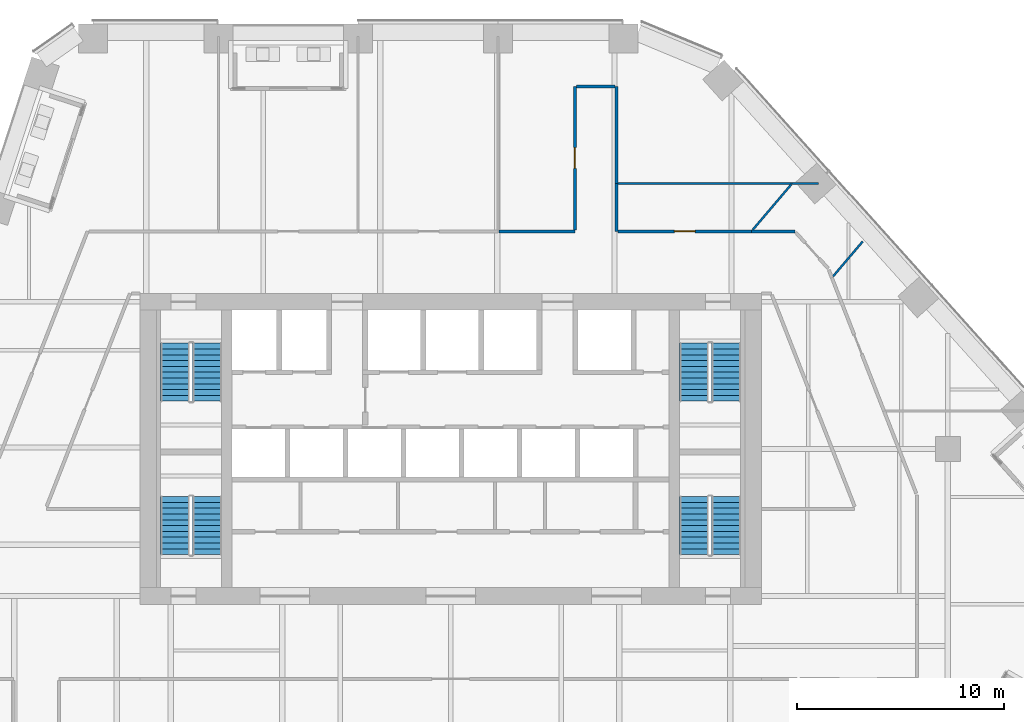
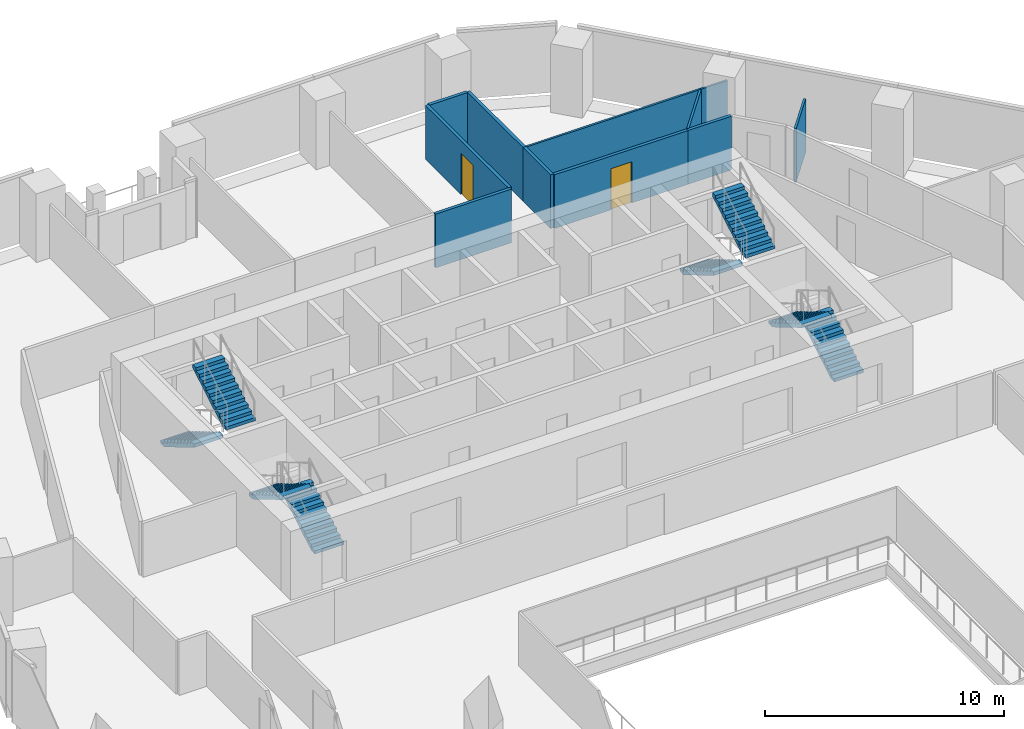
# One storey, part 22 of 26: 11 walls, 8 stair flights, 2 doors, 2 openings, 4 elements without a shape of their own.
"""IFC4 building model written with IfcOpenShell, lengths in metres."""

from ifc_helpers import new_model, si_unit, direction, frame, frame_2d, origin, place, context, subcontext, project, spatial, polyline, rectangle, outline, extrude, material, layer, layer_set, type_object, element, fill, aggregate, save


model = new_model("IFC4")

# Units and contexts
model_context = context("Model", 3, precision=1e-05, world=origin(), true_north=direction((0.0, 1.0)))
body_context = subcontext(model_context, "Body", "Model", "MODEL_VIEW")
ifc_project = project(units=[si_unit("LENGTHUNIT", "METRE"), si_unit("AREAUNIT", "SQUARE_METRE"), si_unit("VOLUMEUNIT", "CUBIC_METRE"), si_unit("PLANEANGLEUNIT", "RADIAN"), si_unit("MASSUNIT", "GRAM", prefix="KILO")], contexts=[model_context])

# Site, building, storey
site_placement = place(None, origin())
site = spatial("IfcSite", under=ifc_project, at=site_placement, CompositionType="ELEMENT")
building_placement = place(site_placement, origin())
building = spatial("IfcBuilding", under=site, at=building_placement, Name="Isthmus Gate Tower", CompositionType="ELEMENT")
storey_placement = place(building_placement, frame((0.0, 0.0, 129.800048828125)))
storey = spatial("IfcBuildingStorey", under=building, at=storey_placement, Name="L31", CompositionType="ELEMENT", Elevation=129.800048828125)

# Walls
ifc_material_1 = material(Name="Gypsum board on steel studs, fire-rated", Category="steel")
ifc_layer_1 = layer(ifc_material_1, 0.14990234375)
ifc_layer_set_1 = layer_set([ifc_layer_1], Name="CORRIDOR WALL 150 60 MIN")
wall_type_1 = type_object("IfcWallType", Name="CORRIDOR WALL 150 60 MIN", PredefinedType="PARTITIONING", material=ifc_layer_set_1)
wall_1_placement = place(storey_placement, frame((8.0, 25.0, 0.0), z_axis=(0.0, 0.0, 1.0), x_axis=(0.0, -1.0, 0.0)))
element("IfcWall", 1, at=wall_1_placement, inside=storey, type_object=wall_type_1, Name="L31 Corridor Wall 150 60 Min", PredefinedType="PARTITIONING", context=body_context, shape_type="SweptSolid", body=[
    extrude(rectangle(XDim=4.69189453125, YDim=0.14990234375, at=frame_2d((2.345947265625, 0.0))), origin(), (0.0, 0.0, 1.0), 2.7412109375),
])
wall_2_placement = place(storey_placement, frame((8.0, 20.30810546875, 0.0), z_axis=(0.0, 0.0, 1.0), x_axis=(0.0, -1.0, 0.0)))
element("IfcWall", 2, at=wall_2_placement, inside=storey, type_object=wall_type_1, Name="L31 Corridor Wall 150 60 Min", PredefinedType="PARTITIONING", context=body_context, shape_type="SweptSolid", body=[
    extrude(rectangle(XDim=2.30810546875, YDim=0.14990234375, at=frame_2d((1.154052734375, 0.0))), origin(), (0.0, 0.0, 1.0), 2.7412109375),
])
wall_3_placement = place(storey_placement, frame((2.337890625, 18.0, 0.0), z_axis=(0.0, 0.0, 1.0), x_axis=(1.0, 0.0, 0.0)))
element("IfcWall", 3, at=wall_3_placement, inside=storey, type_object=wall_type_1, Name="L31 Corridor Wall 150 60 Min", PredefinedType="PARTITIONING", context=body_context, shape_type="SweptSolid", body=[
    extrude(rectangle(XDim=3.662109375, YDim=0.14990234375, at=frame_2d((1.8310546875, 0.0))), origin(), (0.0, 0.0, 1.0), 2.7412109375),
])

# Wall, opening, door
wall_4_placement = place(storey_placement, frame((6.0, 18.074951171875, 0.0), z_axis=(0.0, 0.0, 1.0), x_axis=(0.0, 1.0, 0.0)))
wall_4 = element("IfcWall", 4, at=wall_4_placement, inside=storey, type_object=wall_type_1, Name="L31 Corridor Wall 150 60 Min", PredefinedType="PARTITIONING", context=body_context, shape_type="SweptSolid", body=[
    extrude(rectangle(XDim=6.925048828125, YDim=0.14990234375, at=frame_2d((3.46240234375, 0.0))), origin(), (0.0, 0.0, 1.0), 2.7412109375),
])
opening_1_placement = place(wall_4_placement, frame((2.96240234375, 0.0, 0.0)))
opening_1 = element("IfcOpeningElement", 5, at=opening_1_placement, cuts=wall_4, Name="Opening DT-T3A-03", PredefinedType="OPENING", context=body_context, shape_type="SweptSolid", body=[
    extrude(rectangle(XDim=1.0, YDim=2.10009765625, at=frame_2d((0.5, 1.050048828125))), frame((0.0, 0.0849609375, 0.0), z_axis=(0.0, -1.0, 0.0), x_axis=(1.0, 0.0, 0.0)), (0.0, 0.0, 1.0), 0.169921875),
])
ifc_material_2 = material(Name="Solid core timber door leaf, fire-rated", Category="wood")
door_type = type_object("IfcDoorType", Name="FIRE DOOR ROOM 1000 X 2100 60 MIN", OperationType="SINGLE_SWING_LEFT", PredefinedType="DOOR", material=ifc_material_2)
door_1_placement = place(opening_1_placement, origin())
door_1 = element("IfcDoor", 6, at=door_1_placement, inside=storey, type_object=door_type, Name="L31 room door", OperationType="SINGLE_SWING_RIGHT", OverallHeight=2.10009765625, OverallWidth=1.0, PredefinedType="DOOR", context=body_context, shape_type="SweptSolid", body=[
    extrude(rectangle(XDim=1.0, YDim=2.10009765625, at=frame_2d((0.5, 1.050048828125))), frame((0.0, 0.02490234375, 0.0), z_axis=(0.0, -1.0, 0.0), x_axis=(1.0, 0.0, 0.0)), (0.0, 0.0, 1.0), 0.050048828125),
])
fill(opening_1, door_1)

# Walls
wall_5_placement = place(storey_placement, frame((6.074951171875, 25.0, 0.0), z_axis=(0.0, 0.0, 1.0), x_axis=(1.0, 0.0, 0.0)))
element("IfcWall", 7, at=wall_5_placement, inside=storey, type_object=wall_type_1, Name="L31 Corridor Wall 150 60 Min", PredefinedType="PARTITIONING", context=body_context, shape_type="SweptSolid", body=[
    extrude(rectangle(XDim=1.85009765625, YDim=0.14990234375, at=frame_2d((0.925048828125, 0.0))), origin(), (0.0, 0.0, 1.0), 2.7412109375),
])
wall_6_placement = place(storey_placement, frame((14.51708984375, 18.0, 0.0), z_axis=(0.0, 0.0, 1.0), x_axis=(1.0, 0.0, 0.0)))
element("IfcWall", 8, at=wall_6_placement, inside=storey, type_object=wall_type_1, Name="L31 Corridor Wall 150 60 Min", PredefinedType="PARTITIONING", context=body_context, shape_type="SweptSolid", body=[
    extrude(rectangle(XDim=2.093017578125, YDim=0.14990234375, at=frame_2d((1.04638671875, 0.0))), origin(), (0.0, 0.0, 1.0), 2.7412109375),
])

# Wall, opening, door
wall_7_placement = place(storey_placement, frame((8.074951171875, 18.0, 0.0), z_axis=(0.0, 0.0, 1.0), x_axis=(1.0, 0.0, 0.0)))
wall_7 = element("IfcWall", 9, at=wall_7_placement, inside=storey, type_object=wall_type_1, Name="L31 Corridor Wall 150 60 Min", PredefinedType="PARTITIONING", context=body_context, shape_type="SweptSolid", body=[
    extrude(rectangle(XDim=6.442138671875, YDim=0.14990234375, at=frame_2d((3.22119140625, 0.0))), origin(), (0.0, 0.0, 1.0), 2.7412109375),
])
opening_2_placement = place(wall_7_placement, frame((2.720947265625, 0.0, 0.0)))
opening_2 = element("IfcOpeningElement", 10, at=opening_2_placement, cuts=wall_7, Name="Opening DT-T3A-13", PredefinedType="OPENING", context=body_context, shape_type="SweptSolid", body=[
    extrude(rectangle(XDim=1.0, YDim=2.10009765625, at=frame_2d((0.5, 1.050048828125))), frame((0.0, 0.0849609375, 0.0), z_axis=(0.0, -1.0, 0.0), x_axis=(1.0, 0.0, 0.0)), (0.0, 0.0, 1.0), 0.169921875),
])
door_2_placement = place(opening_2_placement, origin())
door_2 = element("IfcDoor", 11, at=door_2_placement, inside=storey, type_object=door_type, Name="L31 room door", OperationType="SINGLE_SWING_RIGHT", OverallHeight=2.10009765625, OverallWidth=1.0, PredefinedType="DOOR", context=body_context, shape_type="SweptSolid", body=[
    extrude(rectangle(XDim=1.0, YDim=2.10009765625, at=frame_2d((0.5, 1.050048828125))), frame((0.0, 0.02490234375, 0.0), z_axis=(0.0, -1.0, 0.0), x_axis=(1.0, 0.0, 0.0)), (0.0, 0.0, 1.0), 0.050048828125),
])
fill(opening_2, door_2)

# Walls
ifc_material_3 = material(Name="Gypsum board on steel studs, fire-rated", Category="steel")
ifc_layer_2 = layer(ifc_material_3, 0.10009765625)
ifc_layer_set_2 = layer_set([ifc_layer_2], Name="ROOM PARTITION 100 30 MIN")
wall_type_2 = type_object("IfcWallType", Name="ROOM PARTITION 100 30 MIN", PredefinedType="PARTITIONING", material=ifc_layer_set_2)
wall_8_placement = place(storey_placement, frame((16.47900390625, 20.30810546875, 0.0), z_axis=(0.0, 0.0, 1.0), x_axis=(1.0, 0.0, 0.0)))
element("IfcWall", 12, at=wall_8_placement, inside=storey, type_object=wall_type_2, Name="L31 Room Partition 100 30 Min", PredefinedType="PARTITIONING", context=body_context, shape_type="SweptSolid", body=[
    extrude(rectangle(XDim=1.282958984375, YDim=0.10009765625, at=frame_2d((0.6416015625, 0.0))), origin(), (0.0, 0.0, 1.0), 2.7412109375),
])
wall_9_placement = place(storey_placement, frame((8.074951171875, 20.30810546875, 0.0), z_axis=(0.0, 0.0, 1.0), x_axis=(1.0, 0.0, 0.0)))
element("IfcWall", 13, at=wall_9_placement, inside=storey, type_object=wall_type_2, Name="L31 Room Partition 100 30 Min", PredefinedType="PARTITIONING", context=body_context, shape_type="SweptSolid", body=[
    extrude(rectangle(XDim=8.404052734375, YDim=0.10009765625, at=frame_2d((4.2021484375, 0.0))), origin(), (0.0, 0.0, 1.0), 2.7412109375),
])
wall_10_placement = place(storey_placement, frame((18.455078125, 15.824951171875, 0.0), z_axis=(0.0, 0.0, 1.0), x_axis=(0.647780060511, 0.761827403815, 0.0)))
element("IfcWall", 14, at=wall_10_placement, inside=storey, type_object=wall_type_2, Name="L31 Room Partition 100 30 Min", PredefinedType="PARTITIONING", context=body_context, shape_type="SweptSolid", body=[
    extrude(rectangle(XDim=2.20703125, YDim=0.10009765625, at=frame_2d((1.103515625, 0.0))), origin(), (0.0, 0.0, 1.0), 2.7412109375),
])
wall_11_placement = place(storey_placement, frame((14.580810546875, 18.074951171875, 0.0), z_axis=(0.0, 0.0, 1.0), x_axis=(0.6476632602, 0.761926703422, 0.0)))
element("IfcWall", 15, at=wall_11_placement, inside=storey, type_object=wall_type_2, Name="L31 Room Partition 100 30 Min", PredefinedType="PARTITIONING", context=body_context, shape_type="SweptSolid", body=[
    extrude(rectangle(XDim=2.865234375, YDim=0.10009765625, at=frame_2d((1.4326171875, 0.0))), origin(), (0.0, 0.0, 1.0), 2.7412109375),
])

# Stair, stair flights
ifc_material_4 = material(Name="Concrete f'c 40 MPa", Category="concrete")
stair_type = type_object("IfcStairType", Name="CORE STAIR 22 RISERS", PredefinedType="HALF_TURN_STAIR", material=ifc_material_4)
stair_1_placement = place(storey_placement, origin())
stair_1 = element("IfcStair", 16, at=stair_1_placement, inside=storey, type_object=stair_type, Name="L31 Exit Stair 1", PredefinedType="HALF_TURN_STAIR")
ifc_material_5 = material(Name="Concrete f'c 40 MPa", Category="concrete")
stair_flight_type = type_object("IfcStairFlightType", Name="STAIR FLIGHT RC 1400", PredefinedType="STRAIGHT", material=ifc_material_5)
stair_flight_1_placement = place(storey_placement, frame((-13.300048828125, 12.60009765625, 0.0), z_axis=(0.0, 0.0, 1.0), x_axis=(0.0, -1.0, 0.0)))
stair_flight_1 = element("IfcStairFlight", 17, at=stair_flight_1_placement, type_object=stair_flight_type, Name="ST1 flight 1", NumberOfRisers=11, NumberOfTreads=10, PredefinedType="STRAIGHT", RiserHeight=0.165909091, TreadLength=0.28, context=body_context, shape_type="SweptSolid", body=[
    extrude(outline(polyline([(0.0, 0.0), (0.0, 0.166015625), (0.280029296875, 0.166015625), (0.280029296875, 0.331787109375), (0.56005859375, 0.331787109375), (0.56005859375, 0.497802734375), (0.840087890625, 0.497802734375), (0.840087890625, 0.66357421875), (1.1201171875, 0.66357421875), (1.1201171875, 0.82958984375), (1.39990234375, 0.82958984375), (1.39990234375, 0.995361328125), (1.679931640625, 0.995361328125), (1.679931640625, 1.161376953125), (1.9599609375, 1.161376953125), (1.9599609375, 1.327392578125), (2.239990234375, 1.327392578125), (2.239990234375, 1.4931640625), (2.52001953125, 1.4931640625), (2.52001953125, 1.6591796875), (2.800048828125, 1.6591796875), (2.800048828125, 1.824951171875), (2.800048828125, 1.48486328125), (0.2939453125, 0.0), (0.0, 0.0)])), frame((0.0, 0.699951171875, 0.0), z_axis=(0.0, -1.0, 0.0), x_axis=(1.0, 0.0, 0.0)), (0.0, 0.0, 1.0), 1.39990234375),
])
stair_flight_2_placement = place(storey_placement, frame((-11.75, 9.800048828125, 1.824951171875), z_axis=(0.0, 0.0, 1.0), x_axis=(0.0, 1.0, 0.0)))
stair_flight_2 = element("IfcStairFlight", 18, at=stair_flight_2_placement, type_object=stair_flight_type, Name="ST1 flight 2", NumberOfRisers=11, NumberOfTreads=10, PredefinedType="STRAIGHT", RiserHeight=0.165909091, TreadLength=0.28, context=body_context, shape_type="SweptSolid", body=[
    extrude(outline(polyline([(0.0, 0.0), (0.0, 0.166015625), (0.280029296875, 0.166015625), (0.280029296875, 0.331787109375), (0.56005859375, 0.331787109375), (0.56005859375, 0.497802734375), (0.840087890625, 0.497802734375), (0.840087890625, 0.66357421875), (1.1201171875, 0.66357421875), (1.1201171875, 0.82958984375), (1.39990234375, 0.82958984375), (1.39990234375, 0.995361328125), (1.679931640625, 0.995361328125), (1.679931640625, 1.161376953125), (1.9599609375, 1.161376953125), (1.9599609375, 1.327392578125), (2.239990234375, 1.327392578125), (2.239990234375, 1.4931640625), (2.52001953125, 1.4931640625), (2.52001953125, 1.6591796875), (2.800048828125, 1.6591796875), (2.800048828125, 1.824951171875), (2.800048828125, 1.48486328125), (0.2939453125, 0.0), (0.0, 0.0)])), frame((0.0, 0.699951171875, 0.0), z_axis=(0.0, -1.0, 0.0), x_axis=(1.0, 0.0, 0.0)), (0.0, 0.0, 1.0), 1.39990234375),
])
aggregate(stair_1, [stair_flight_1, stair_flight_2])

stair_2_placement = place(storey_placement, origin())
stair_2 = element("IfcStair", 19, at=stair_2_placement, inside=storey, type_object=stair_type, Name="L31 Exit Stair 2", PredefinedType="HALF_TURN_STAIR")
stair_flight_3_placement = place(storey_placement, frame((11.75, 12.60009765625, 0.0), z_axis=(0.0, 0.0, 1.0), x_axis=(0.0, -1.0, 0.0)))
stair_flight_3 = element("IfcStairFlight", 20, at=stair_flight_3_placement, type_object=stair_flight_type, Name="ST2 flight 1", NumberOfRisers=11, NumberOfTreads=10, PredefinedType="STRAIGHT", RiserHeight=0.165909091, TreadLength=0.28, context=body_context, shape_type="SweptSolid", body=[
    extrude(outline(polyline([(0.0, 0.0), (0.0, 0.166015625), (0.280029296875, 0.166015625), (0.280029296875, 0.331787109375), (0.56005859375, 0.331787109375), (0.56005859375, 0.497802734375), (0.840087890625, 0.497802734375), (0.840087890625, 0.66357421875), (1.1201171875, 0.66357421875), (1.1201171875, 0.82958984375), (1.39990234375, 0.82958984375), (1.39990234375, 0.995361328125), (1.679931640625, 0.995361328125), (1.679931640625, 1.161376953125), (1.9599609375, 1.161376953125), (1.9599609375, 1.327392578125), (2.239990234375, 1.327392578125), (2.239990234375, 1.4931640625), (2.52001953125, 1.4931640625), (2.52001953125, 1.6591796875), (2.800048828125, 1.6591796875), (2.800048828125, 1.824951171875), (2.800048828125, 1.48486328125), (0.2939453125, 0.0), (0.0, 0.0)])), frame((0.0, 0.699951171875, 0.0), z_axis=(0.0, -1.0, 0.0), x_axis=(1.0, 0.0, 0.0)), (0.0, 0.0, 1.0), 1.39990234375),
])
stair_flight_4_placement = place(storey_placement, frame((13.300048828125, 9.800048828125, 1.824951171875), z_axis=(0.0, 0.0, 1.0), x_axis=(0.0, 1.0, 0.0)))
stair_flight_4 = element("IfcStairFlight", 21, at=stair_flight_4_placement, type_object=stair_flight_type, Name="ST2 flight 2", NumberOfRisers=11, NumberOfTreads=10, PredefinedType="STRAIGHT", RiserHeight=0.165909091, TreadLength=0.28, context=body_context, shape_type="SweptSolid", body=[
    extrude(outline(polyline([(0.0, 0.0), (0.0, 0.166015625), (0.280029296875, 0.166015625), (0.280029296875, 0.331787109375), (0.56005859375, 0.331787109375), (0.56005859375, 0.497802734375), (0.840087890625, 0.497802734375), (0.840087890625, 0.66357421875), (1.1201171875, 0.66357421875), (1.1201171875, 0.82958984375), (1.39990234375, 0.82958984375), (1.39990234375, 0.995361328125), (1.679931640625, 0.995361328125), (1.679931640625, 1.161376953125), (1.9599609375, 1.161376953125), (1.9599609375, 1.327392578125), (2.239990234375, 1.327392578125), (2.239990234375, 1.4931640625), (2.52001953125, 1.4931640625), (2.52001953125, 1.6591796875), (2.800048828125, 1.6591796875), (2.800048828125, 1.824951171875), (2.800048828125, 1.48486328125), (0.2939453125, 0.0), (0.0, 0.0)])), frame((0.0, 0.699951171875, 0.0), z_axis=(0.0, -1.0, 0.0), x_axis=(1.0, 0.0, 0.0)), (0.0, 0.0, 1.0), 1.39990234375),
])
aggregate(stair_2, [stair_flight_3, stair_flight_4])

stair_3_placement = place(storey_placement, origin())
stair_3 = element("IfcStair", 22, at=stair_3_placement, inside=storey, type_object=stair_type, Name="L31 Exit Stair 7", PredefinedType="HALF_TURN_STAIR")
stair_flight_5_placement = place(storey_placement, frame((-11.75, 2.39990234375, 0.0), z_axis=(0.0, 0.0, 1.0), x_axis=(0.0, 1.0, 0.0)))
stair_flight_5 = element("IfcStairFlight", 23, at=stair_flight_5_placement, type_object=stair_flight_type, Name="ST7 flight 1", NumberOfRisers=11, NumberOfTreads=10, PredefinedType="STRAIGHT", RiserHeight=0.165909091, TreadLength=0.28, context=body_context, shape_type="SweptSolid", body=[
    extrude(outline(polyline([(0.0, 0.0), (0.0, 0.166015625), (0.280029296875, 0.166015625), (0.280029296875, 0.331787109375), (0.56005859375, 0.331787109375), (0.56005859375, 0.497802734375), (0.840087890625, 0.497802734375), (0.840087890625, 0.66357421875), (1.1201171875, 0.66357421875), (1.1201171875, 0.82958984375), (1.39990234375, 0.82958984375), (1.39990234375, 0.995361328125), (1.679931640625, 0.995361328125), (1.679931640625, 1.161376953125), (1.9599609375, 1.161376953125), (1.9599609375, 1.327392578125), (2.239990234375, 1.327392578125), (2.239990234375, 1.4931640625), (2.52001953125, 1.4931640625), (2.52001953125, 1.6591796875), (2.800048828125, 1.6591796875), (2.800048828125, 1.824951171875), (2.800048828125, 1.48486328125), (0.2939453125, 0.0), (0.0, 0.0)])), frame((0.0, 0.699951171875, 0.0), z_axis=(0.0, -1.0, 0.0), x_axis=(1.0, 0.0, 0.0)), (0.0, 0.0, 1.0), 1.39990234375),
])
stair_flight_6_placement = place(storey_placement, frame((-13.300048828125, 5.199951171875, 1.824951171875), z_axis=(0.0, 0.0, 1.0), x_axis=(0.0, -1.0, 0.0)))
stair_flight_6 = element("IfcStairFlight", 24, at=stair_flight_6_placement, type_object=stair_flight_type, Name="ST7 flight 2", NumberOfRisers=11, NumberOfTreads=10, PredefinedType="STRAIGHT", RiserHeight=0.165909091, TreadLength=0.28, context=body_context, shape_type="SweptSolid", body=[
    extrude(outline(polyline([(0.0, 0.0), (0.0, 0.166015625), (0.280029296875, 0.166015625), (0.280029296875, 0.331787109375), (0.56005859375, 0.331787109375), (0.56005859375, 0.497802734375), (0.840087890625, 0.497802734375), (0.840087890625, 0.66357421875), (1.1201171875, 0.66357421875), (1.1201171875, 0.82958984375), (1.39990234375, 0.82958984375), (1.39990234375, 0.995361328125), (1.679931640625, 0.995361328125), (1.679931640625, 1.161376953125), (1.9599609375, 1.161376953125), (1.9599609375, 1.327392578125), (2.239990234375, 1.327392578125), (2.239990234375, 1.4931640625), (2.52001953125, 1.4931640625), (2.52001953125, 1.6591796875), (2.800048828125, 1.6591796875), (2.800048828125, 1.824951171875), (2.800048828125, 1.48486328125), (0.2939453125, 0.0), (0.0, 0.0)])), frame((0.0, 0.699951171875, 0.0), z_axis=(0.0, -1.0, 0.0), x_axis=(1.0, 0.0, 0.0)), (0.0, 0.0, 1.0), 1.39990234375),
])
aggregate(stair_3, [stair_flight_5, stair_flight_6])

stair_4_placement = place(storey_placement, origin())
stair_4 = element("IfcStair", 25, at=stair_4_placement, inside=storey, type_object=stair_type, Name="L31 Exit Stair 8", PredefinedType="HALF_TURN_STAIR")
stair_flight_7_placement = place(storey_placement, frame((13.300048828125, 2.39990234375, 0.0), z_axis=(0.0, 0.0, 1.0), x_axis=(0.0, 1.0, 0.0)))
stair_flight_7 = element("IfcStairFlight", 26, at=stair_flight_7_placement, type_object=stair_flight_type, Name="ST8 flight 1", NumberOfRisers=11, NumberOfTreads=10, PredefinedType="STRAIGHT", RiserHeight=0.165909091, TreadLength=0.28, context=body_context, shape_type="SweptSolid", body=[
    extrude(outline(polyline([(0.0, 0.0), (0.0, 0.166015625), (0.280029296875, 0.166015625), (0.280029296875, 0.331787109375), (0.56005859375, 0.331787109375), (0.56005859375, 0.497802734375), (0.840087890625, 0.497802734375), (0.840087890625, 0.66357421875), (1.1201171875, 0.66357421875), (1.1201171875, 0.82958984375), (1.39990234375, 0.82958984375), (1.39990234375, 0.995361328125), (1.679931640625, 0.995361328125), (1.679931640625, 1.161376953125), (1.9599609375, 1.161376953125), (1.9599609375, 1.327392578125), (2.239990234375, 1.327392578125), (2.239990234375, 1.4931640625), (2.52001953125, 1.4931640625), (2.52001953125, 1.6591796875), (2.800048828125, 1.6591796875), (2.800048828125, 1.824951171875), (2.800048828125, 1.48486328125), (0.2939453125, 0.0), (0.0, 0.0)])), frame((0.0, 0.699951171875, 0.0), z_axis=(0.0, -1.0, 0.0), x_axis=(1.0, 0.0, 0.0)), (0.0, 0.0, 1.0), 1.39990234375),
])
stair_flight_8_placement = place(storey_placement, frame((11.75, 5.199951171875, 1.824951171875), z_axis=(0.0, 0.0, 1.0), x_axis=(0.0, -1.0, 0.0)))
stair_flight_8 = element("IfcStairFlight", 27, at=stair_flight_8_placement, type_object=stair_flight_type, Name="ST8 flight 2", NumberOfRisers=11, NumberOfTreads=10, PredefinedType="STRAIGHT", RiserHeight=0.165909091, TreadLength=0.28, context=body_context, shape_type="SweptSolid", body=[
    extrude(outline(polyline([(0.0, 0.0), (0.0, 0.166015625), (0.280029296875, 0.166015625), (0.280029296875, 0.331787109375), (0.56005859375, 0.331787109375), (0.56005859375, 0.497802734375), (0.840087890625, 0.497802734375), (0.840087890625, 0.66357421875), (1.1201171875, 0.66357421875), (1.1201171875, 0.82958984375), (1.39990234375, 0.82958984375), (1.39990234375, 0.995361328125), (1.679931640625, 0.995361328125), (1.679931640625, 1.161376953125), (1.9599609375, 1.161376953125), (1.9599609375, 1.327392578125), (2.239990234375, 1.327392578125), (2.239990234375, 1.4931640625), (2.52001953125, 1.4931640625), (2.52001953125, 1.6591796875), (2.800048828125, 1.6591796875), (2.800048828125, 1.824951171875), (2.800048828125, 1.48486328125), (0.2939453125, 0.0), (0.0, 0.0)])), frame((0.0, 0.699951171875, 0.0), z_axis=(0.0, -1.0, 0.0), x_axis=(1.0, 0.0, 0.0)), (0.0, 0.0, 1.0), 1.39990234375),
])
aggregate(stair_4, [stair_flight_7, stair_flight_8])

save(model, "model.ifc")
